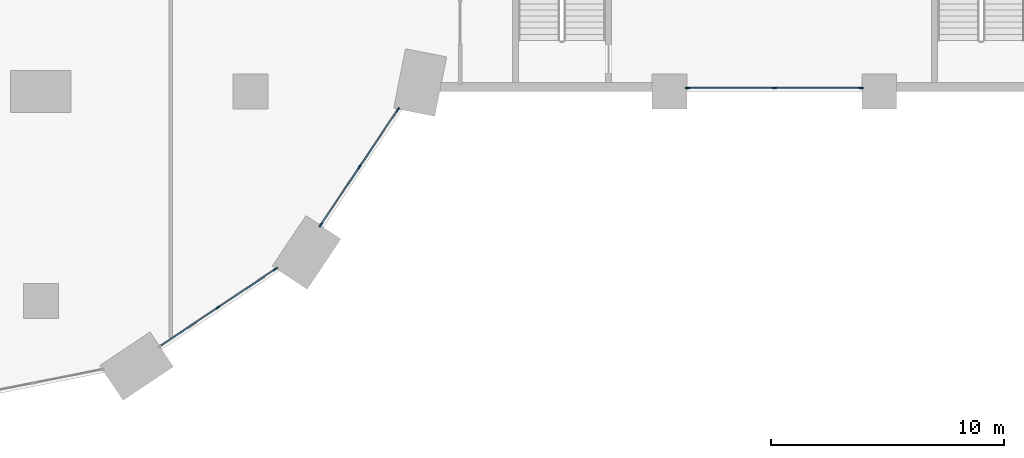
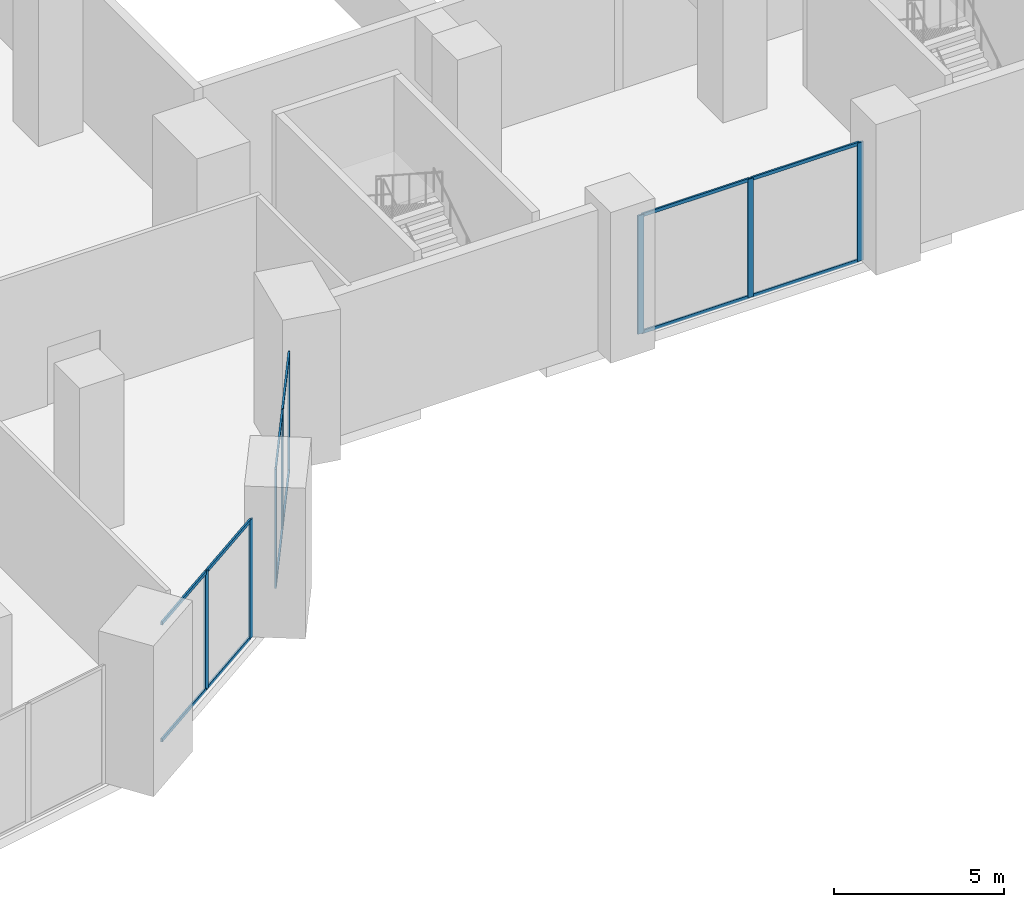
# One storey, part 4 of 43: 20 members, 3 elements without a shape of their own.
"""IFC4 building model written with IfcOpenShell, lengths in metres."""

from ifc_helpers import new_model, si_unit, direction, frame, origin, origin_2d, place, context, subcontext, project, spatial, rectangle, extrude, material, material_profile, profile_set, type_object, element, aggregate, save


model = new_model("IFC4")

# Units and contexts
model_context = context("Model", 3, precision=1e-05, world=origin(), true_north=direction((0.0, 1.0)))
body_context = subcontext(model_context, "Body", "Model", "MODEL_VIEW")
ifc_project = project(units=[si_unit("LENGTHUNIT", "METRE"), si_unit("AREAUNIT", "SQUARE_METRE"), si_unit("VOLUMEUNIT", "CUBIC_METRE"), si_unit("PLANEANGLEUNIT", "RADIAN"), si_unit("MASSUNIT", "GRAM", prefix="KILO")], contexts=[model_context])

# Site, building, storey
site_placement = place(None, origin())
site = spatial("IfcSite", under=ifc_project, at=site_placement, CompositionType="ELEMENT")
building_placement = place(site_placement, origin())
building = spatial("IfcBuilding", under=site, at=building_placement, Name="Hunhe Ridgeline Campus", CompositionType="ELEMENT")
storey_placement = place(building_placement, frame((0.0, 0.0, 11.39990234375)))
storey = spatial("IfcBuildingStorey", under=building, at=storey_placement, Name="L02", CompositionType="ELEMENT", Elevation=11.39990234375)

# Curtain wall, members
ifc_material_1 = material(Name="Aluminium and glass", Category="aluminium")
curtain_wall_type = type_object("IfcCurtainWallType", Name="Podium curtain wall CW-2", PredefinedType="NOTDEFINED", material=ifc_material_1)
curtain_wall_1_placement = place(storey_placement, origin())
curtain_wall_1 = element("IfcCurtainWall", 1, at=curtain_wall_1_placement, inside=storey, type_object=curtain_wall_type, Name="L02 podium curtain wall 14", PredefinedType="NOTDEFINED")
ifc_material_2 = material(Name="Aluminium", Category="aluminium")
ifc_material_profile_1 = material_profile(ifc_material_2, rectangle(XDim=0.06005859375, YDim=0.199951171875, at=origin_2d()))
ifc_profile_set_1 = profile_set([ifc_material_profile_1], Name="Aluminium")
member_type_1 = type_object("IfcMemberType", Name="CW-2 mullion 60x200", PredefinedType="MULLION", material=ifc_profile_set_1)
member_1_placement = place(storey_placement, frame((34.6064453125, 8.729248046875, 0.0), z_axis=(0.0, 0.0, 1.0), x_axis=(-0.555579224709, 0.831463604177, 0.0)))
member_1 = element("IfcMember", 2, at=member_1_placement, type_object=member_type_1, Name="CW2 mullion 2", PredefinedType="MULLION", context=body_context, shape_type="SweptSolid", body=[
    extrude(rectangle(XDim=0.06005859375, YDim=0.199951171875, at=origin_2d()), origin(), (0.0, 0.0, 1.0), 4.25),
])
member_2_placement = place(storey_placement, frame((37.080078125, 10.3818359375, 0.0), z_axis=(0.0, 0.0, 1.0), x_axis=(-0.555579224709, 0.831463604177, 0.0)))
member_2 = element("IfcMember", 3, at=member_2_placement, type_object=member_type_1, Name="CW2 mullion 3", PredefinedType="MULLION", context=body_context, shape_type="SweptSolid", body=[
    extrude(rectangle(XDim=0.06005859375, YDim=0.199951171875, at=origin_2d()), origin(), (0.0, 0.0, 1.0), 4.25),
])

curtain_wall_2_placement = place(storey_placement, origin())
curtain_wall_2 = element("IfcCurtainWall", 4, at=curtain_wall_2_placement, inside=storey, type_object=curtain_wall_type, Name="L02 podium curtain wall 15", PredefinedType="NOTDEFINED")
member_3_placement = place(storey_placement, frame((39.024169921875, 12.279296875, 0.0), z_axis=(0.0, 0.0, 1.0), x_axis=(-0.831468740176, 0.555571538247, 0.0)))
member_3 = element("IfcMember", 5, at=member_3_placement, type_object=member_type_1, Name="CW2 mullion 1", PredefinedType="MULLION", context=body_context, shape_type="SweptSolid", body=[
    extrude(rectangle(XDim=0.06005859375, YDim=0.199951171875, at=origin_2d()), origin(), (0.0, 0.0, 1.0), 4.25),
])
member_4_placement = place(storey_placement, frame((40.6767578125, 14.752685546875, 0.0), z_axis=(0.0, 0.0, 1.0), x_axis=(-0.831468740176, 0.555571538247, 0.0)))
member_4 = element("IfcMember", 6, at=member_4_placement, type_object=member_type_1, Name="CW2 mullion 2", PredefinedType="MULLION", context=body_context, shape_type="SweptSolid", body=[
    extrude(rectangle(XDim=0.06005859375, YDim=0.199951171875, at=origin_2d()), origin(), (0.0, 0.0, 1.0), 4.25),
])
member_5_placement = place(storey_placement, frame((42.32958984375, 17.226318359375, 0.0), z_axis=(0.0, 0.0, 1.0), x_axis=(-0.831468740176, 0.555571538247, 0.0)))
member_5 = element("IfcMember", 7, at=member_5_placement, type_object=member_type_1, Name="CW2 mullion 3", PredefinedType="MULLION", context=body_context, shape_type="SweptSolid", body=[
    extrude(rectangle(XDim=0.06005859375, YDim=0.199951171875, at=origin_2d()), origin(), (0.0, 0.0, 1.0), 4.25),
])

curtain_wall_3_placement = place(storey_placement, origin())
curtain_wall_3 = element("IfcCurtainWall", 8, at=curtain_wall_3_placement, inside=storey, type_object=curtain_wall_type, Name="L02 podium curtain wall 17", PredefinedType="NOTDEFINED")
member_6_placement = place(storey_placement, frame((54.780029296875, 18.14990234375, 0.0), z_axis=(0.0, 0.0, 1.0), x_axis=(0.0, 1.0, 0.0)))
member_6 = element("IfcMember", 9, at=member_6_placement, type_object=member_type_1, Name="CW2 mullion 1", PredefinedType="MULLION", context=body_context, shape_type="SweptSolid", body=[
    extrude(rectangle(XDim=0.06005859375, YDim=0.199951171875, at=origin_2d()), origin(), (0.0, 0.0, 1.0), 4.25),
])
member_7_placement = place(storey_placement, frame((58.5, 18.14990234375, 0.0), z_axis=(0.0, 0.0, 1.0), x_axis=(0.0, 1.0, 0.0)))
member_7 = element("IfcMember", 10, at=member_7_placement, type_object=member_type_1, Name="CW2 mullion 2", PredefinedType="MULLION", context=body_context, shape_type="SweptSolid", body=[
    extrude(rectangle(XDim=0.06005859375, YDim=0.199951171875, at=origin_2d()), origin(), (0.0, 0.0, 1.0), 4.25),
])
member_8_placement = place(storey_placement, frame((62.219970703125, 18.14990234375, 0.0), z_axis=(0.0, 0.0, 1.0), x_axis=(0.0, 1.0, 0.0)))
member_8 = element("IfcMember", 11, at=member_8_placement, type_object=member_type_1, Name="CW2 mullion 3", PredefinedType="MULLION", context=body_context, shape_type="SweptSolid", body=[
    extrude(rectangle(XDim=0.06005859375, YDim=0.199951171875, at=origin_2d()), origin(), (0.0, 0.0, 1.0), 4.25),
])

# Member
ifc_material_profile_2 = material_profile(ifc_material_2, rectangle(XDim=0.06005859375, YDim=0.1201171875, at=origin_2d()))
ifc_profile_set_2 = profile_set([ifc_material_profile_2], Name="Aluminium")
member_type_2 = type_object("IfcMemberType", Name="CW-2 transom 60x120", PredefinedType="USERDEFINED", material=ifc_profile_set_2)
member_9_placement = place(storey_placement, frame((32.157958984375, 7.093017578125, 0.030029296875), z_axis=(0.831469973626, 0.55556969226, 0.0), x_axis=(-0.55556969226, 0.831469973626, 0.0)))
member_9 = element("IfcMember", 12, at=member_9_placement, type_object=member_type_2, Name="CW2 transom 1.1", ObjectType="TRANSOM", PredefinedType="USERDEFINED", context=body_context, shape_type="SweptSolid", body=[
    extrude(rectangle(XDim=0.06005859375, YDim=0.1201171875, at=origin_2d()), origin(), (0.0, 0.0, 1.0), 2.914794921875),
])

member_10_placement = place(storey_placement, frame((32.157958984375, 7.093017578125, 4.22021484375), z_axis=(0.831469973626, 0.55556969226, 0.0), x_axis=(-0.55556969226, 0.831469973626, 0.0)))
member_10 = element("IfcMember", 13, at=member_10_placement, type_object=member_type_2, Name="CW2 transom 1.2", ObjectType="TRANSOM", PredefinedType="USERDEFINED", context=body_context, shape_type="SweptSolid", body=[
    extrude(rectangle(XDim=0.06005859375, YDim=0.1201171875, at=origin_2d()), origin(), (0.0, 0.0, 1.0), 2.914794921875),
])

member_11_placement = place(storey_placement, frame((34.63134765625, 8.745849609375, 0.030029296875), z_axis=(0.831469973626, 0.55556969226, 0.0), x_axis=(-0.55556969226, 0.831469973626, 0.0)))
member_11 = element("IfcMember", 14, at=member_11_placement, type_object=member_type_2, Name="CW2 transom 2.1", ObjectType="TRANSOM", PredefinedType="USERDEFINED", context=body_context, shape_type="SweptSolid", body=[
    extrude(rectangle(XDim=0.06005859375, YDim=0.1201171875, at=origin_2d()), origin(), (0.0, 0.0, 1.0), 2.914794921875),
])

member_12_placement = place(storey_placement, frame((34.63134765625, 8.745849609375, 4.22021484375), z_axis=(0.831469973626, 0.55556969226, 0.0), x_axis=(-0.55556969226, 0.831469973626, 0.0)))
member_12 = element("IfcMember", 15, at=member_12_placement, type_object=member_type_2, Name="CW2 transom 2.2", ObjectType="TRANSOM", PredefinedType="USERDEFINED", context=body_context, shape_type="SweptSolid", body=[
    extrude(rectangle(XDim=0.06005859375, YDim=0.1201171875, at=origin_2d()), origin(), (0.0, 0.0, 1.0), 2.914794921875),
])

aggregate(curtain_wall_1, [member_1, member_2, member_9, member_10, member_11, member_12])

member_13_placement = place(storey_placement, frame((39.040771484375, 12.30419921875, 0.030029296875), z_axis=(0.55556969226, 0.831469973626, 0.0), x_axis=(-0.831469973626, 0.55556969226, 0.0)))
member_13 = element("IfcMember", 16, at=member_13_placement, type_object=member_type_2, Name="CW2 transom 1.1", ObjectType="TRANSOM", PredefinedType="USERDEFINED", context=body_context, shape_type="SweptSolid", body=[
    extrude(rectangle(XDim=0.06005859375, YDim=0.1201171875, at=origin_2d()), origin(), (0.0, 0.0, 1.0), 2.914794921875),
])

member_14_placement = place(storey_placement, frame((39.040771484375, 12.30419921875, 4.22021484375), z_axis=(0.55556969226, 0.831469973626, 0.0), x_axis=(-0.831469973626, 0.55556969226, 0.0)))
member_14 = element("IfcMember", 17, at=member_14_placement, type_object=member_type_2, Name="CW2 transom 1.2", ObjectType="TRANSOM", PredefinedType="USERDEFINED", context=body_context, shape_type="SweptSolid", body=[
    extrude(rectangle(XDim=0.06005859375, YDim=0.1201171875, at=origin_2d()), origin(), (0.0, 0.0, 1.0), 2.914794921875),
])

member_15_placement = place(storey_placement, frame((40.693603515625, 14.77783203125, 0.030029296875), z_axis=(0.55556969226, 0.831469973626, 0.0), x_axis=(-0.831469973626, 0.55556969226, 0.0)))
member_15 = element("IfcMember", 18, at=member_15_placement, type_object=member_type_2, Name="CW2 transom 2.1", ObjectType="TRANSOM", PredefinedType="USERDEFINED", context=body_context, shape_type="SweptSolid", body=[
    extrude(rectangle(XDim=0.06005859375, YDim=0.1201171875, at=origin_2d()), origin(), (0.0, 0.0, 1.0), 2.914794921875),
])

member_16_placement = place(storey_placement, frame((40.693603515625, 14.77783203125, 4.22021484375), z_axis=(0.55556969226, 0.831469973626, 0.0), x_axis=(-0.831469973626, 0.55556969226, 0.0)))
member_16 = element("IfcMember", 19, at=member_16_placement, type_object=member_type_2, Name="CW2 transom 2.2", ObjectType="TRANSOM", PredefinedType="USERDEFINED", context=body_context, shape_type="SweptSolid", body=[
    extrude(rectangle(XDim=0.06005859375, YDim=0.1201171875, at=origin_2d()), origin(), (0.0, 0.0, 1.0), 2.914794921875),
])

aggregate(curtain_wall_2, [member_3, member_4, member_5, member_13, member_14, member_15, member_16])

member_17_placement = place(storey_placement, frame((54.81005859375, 18.14990234375, 0.030029296875), z_axis=(1.0, 0.0, 0.0), x_axis=(0.0, 1.0, 0.0)))
member_17 = element("IfcMember", 20, at=member_17_placement, type_object=member_type_2, Name="CW2 transom 1.1", ObjectType="TRANSOM", PredefinedType="USERDEFINED", context=body_context, shape_type="SweptSolid", body=[
    extrude(rectangle(XDim=0.06005859375, YDim=0.1201171875, at=origin_2d()), origin(), (0.0, 0.0, 1.0), 3.659912109375),
])

member_18_placement = place(storey_placement, frame((54.81005859375, 18.14990234375, 4.22021484375), z_axis=(1.0, 0.0, 0.0), x_axis=(0.0, 1.0, 0.0)))
member_18 = element("IfcMember", 21, at=member_18_placement, type_object=member_type_2, Name="CW2 transom 1.2", ObjectType="TRANSOM", PredefinedType="USERDEFINED", context=body_context, shape_type="SweptSolid", body=[
    extrude(rectangle(XDim=0.06005859375, YDim=0.1201171875, at=origin_2d()), origin(), (0.0, 0.0, 1.0), 3.659912109375),
])

member_19_placement = place(storey_placement, frame((58.530029296875, 18.14990234375, 0.030029296875), z_axis=(1.0, 0.0, 0.0), x_axis=(0.0, 1.0, 0.0)))
member_19 = element("IfcMember", 22, at=member_19_placement, type_object=member_type_2, Name="CW2 transom 2.1", ObjectType="TRANSOM", PredefinedType="USERDEFINED", context=body_context, shape_type="SweptSolid", body=[
    extrude(rectangle(XDim=0.06005859375, YDim=0.1201171875, at=origin_2d()), origin(), (0.0, 0.0, 1.0), 3.659912109375),
])

member_20_placement = place(storey_placement, frame((58.530029296875, 18.14990234375, 4.22021484375), z_axis=(1.0, 0.0, 0.0), x_axis=(0.0, 1.0, 0.0)))
member_20 = element("IfcMember", 23, at=member_20_placement, type_object=member_type_2, Name="CW2 transom 2.2", ObjectType="TRANSOM", PredefinedType="USERDEFINED", context=body_context, shape_type="SweptSolid", body=[
    extrude(rectangle(XDim=0.06005859375, YDim=0.1201171875, at=origin_2d()), origin(), (0.0, 0.0, 1.0), 3.659912109375),
])

aggregate(curtain_wall_3, [member_6, member_7, member_8, member_17, member_18, member_19, member_20])

save(model, "model.ifc")
